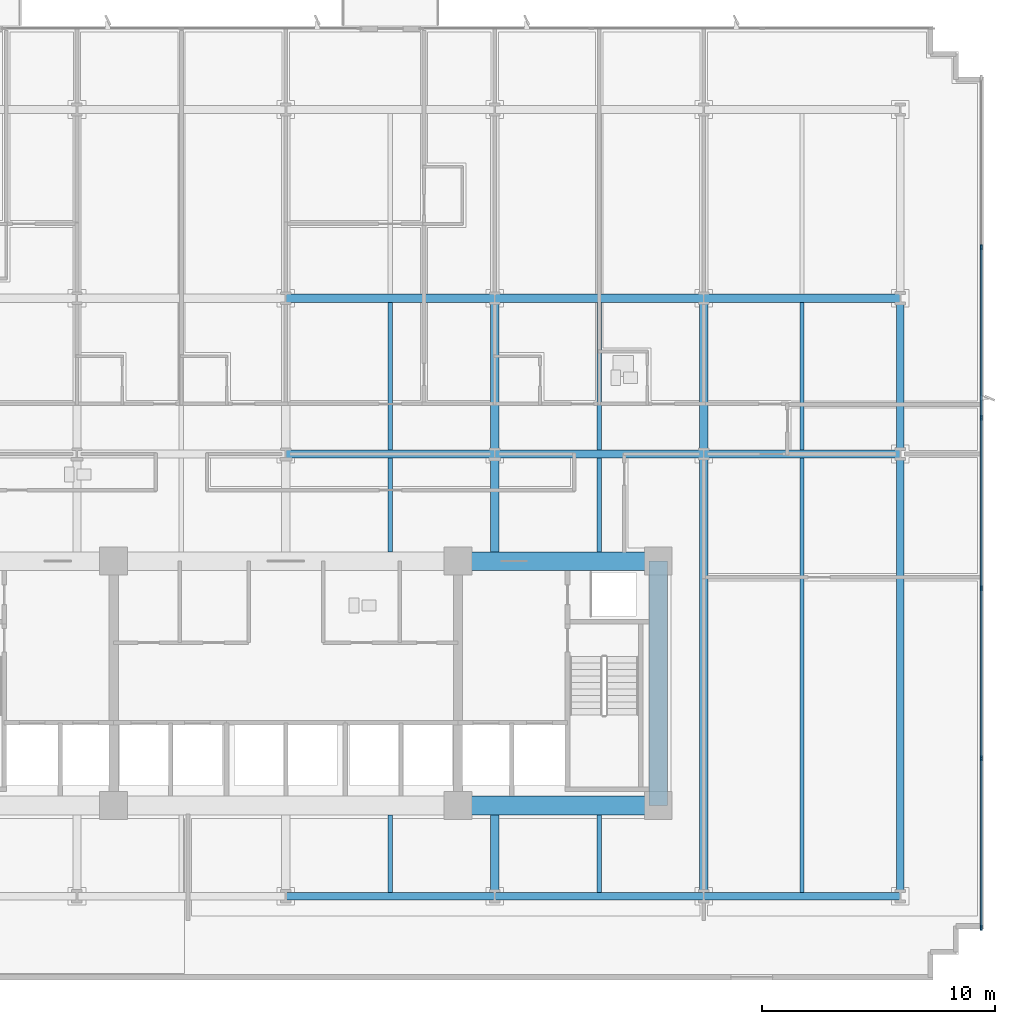
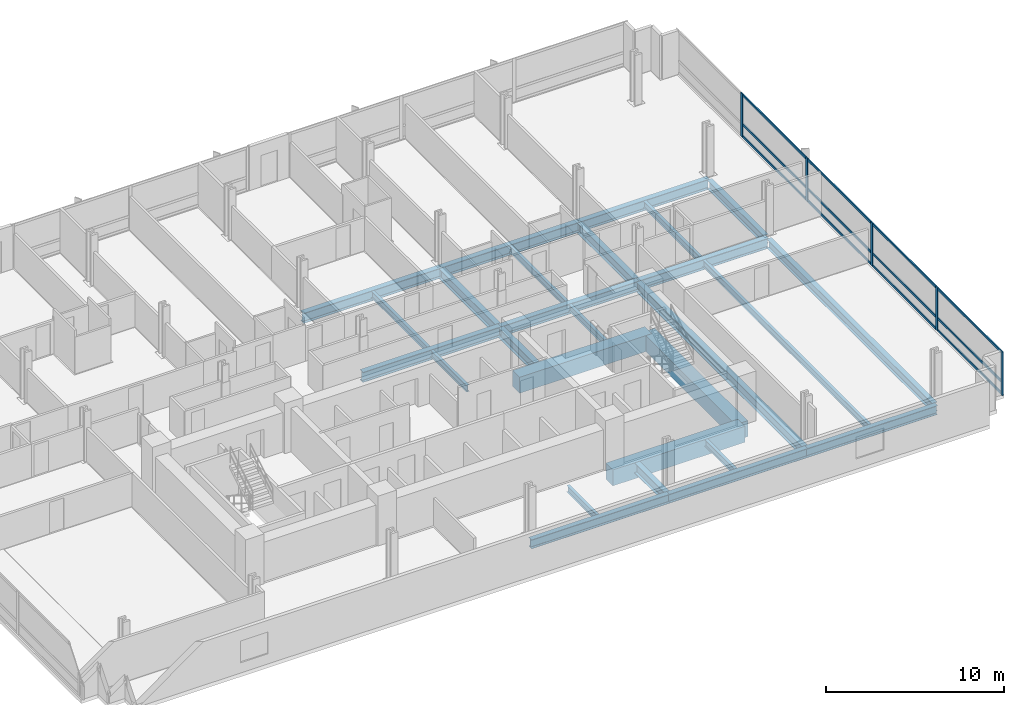
# One storey, part 4 of 15: 27 beams, 17 members, 1 element without a shape of its own.
"""IFC4 building model written with IfcOpenShell, lengths in metres."""

from ifc_helpers import new_model, si_unit, direction, frame, origin, origin_2d, place, context, subcontext, project, spatial, rectangle, i_section, extrude, material, material_profile, profile_set, type_object, element, aggregate, save


model = new_model("IFC4")

# Units and contexts
model_context = context("Model", 3, precision=1e-05, world=origin(), true_north=direction((0.0, 1.0)))
body_context = subcontext(model_context, "Body", "Model", "MODEL_VIEW")
ifc_project = project(units=[si_unit("LENGTHUNIT", "METRE"), si_unit("AREAUNIT", "SQUARE_METRE"), si_unit("VOLUMEUNIT", "CUBIC_METRE"), si_unit("PLANEANGLEUNIT", "RADIAN"), si_unit("MASSUNIT", "GRAM", prefix="KILO")], contexts=[model_context])

# Site, building, storey
site_placement = place(None, origin())
site = spatial("IfcSite", under=ifc_project, at=site_placement, CompositionType="ELEMENT")
building_placement = place(site_placement, origin())
building = spatial("IfcBuilding", under=site, at=building_placement, Name="Solmavex Isthmus Hotel", CompositionType="ELEMENT")
storey_placement = place(building_placement, frame((0.0, 0.0, 71.25)))
storey = spatial("IfcBuildingStorey", under=building, at=storey_placement, Name="L19", CompositionType="ELEMENT", Elevation=71.25)

# Beams
ifc_material_1 = material(Name="Steel ASTM A992 Grade 50", Category="steel")
ifc_material_profile_1 = material_profile(ifc_material_1, i_section(OverallWidth=0.354736328125, OverallDepth=0.695556640625, WebThickness=0.015380859375, FlangeThickness=0.02490234375, FilletRadius=0.017822265625, at=origin_2d()), Name="W27X146")
ifc_profile_set_1 = profile_set([ifc_material_profile_1], Name="Steel ASTM A992 Grade 50")
beam_type_1 = type_object("IfcBeamType", Name="BM-BG-W27X146", PredefinedType="BEAM", material=ifc_profile_set_1)
beam_1_placement = place(storey_placement, frame((0.0, 2.10009765625, -0.607666015625), z_axis=(1.0, 0.0, 0.0), x_axis=(0.0, 1.0, 0.0)))
element("IfcBeam", 1, at=beam_1_placement, inside=storey, type_object=beam_type_1, Name="Floor Girder L19-UG10", PredefinedType="BEAM", context=body_context, shape_type="SweptSolid", body=[
    extrude(i_section(OverallWidth=0.354736328125, OverallDepth=0.695556640625, WebThickness=0.015380859375, FlangeThickness=0.02490234375, FilletRadius=0.017822265625, at=origin_2d()), origin(), (0.0, 0.0, 1.0), 8.97607421875),
])
beam_2_placement = place(storey_placement, frame((8.97607421875, 2.10009765625, -0.607666015625), z_axis=(1.0, 0.0, 0.0), x_axis=(0.0, 1.0, 0.0)))
element("IfcBeam", 2, at=beam_2_placement, inside=storey, type_object=beam_type_1, Name="Floor Girder L19-UG11", PredefinedType="BEAM", context=body_context, shape_type="SweptSolid", body=[
    extrude(i_section(OverallWidth=0.354736328125, OverallDepth=0.695556640625, WebThickness=0.015380859375, FlangeThickness=0.02490234375, FilletRadius=0.017822265625, at=origin_2d()), origin(), (0.0, 0.0, 1.0), 8.975830078125),
])
beam_3_placement = place(storey_placement, frame((17.951904296875, 2.10009765625, -0.607666015625), z_axis=(1.0, 0.0, 0.0), x_axis=(0.0, 1.0, 0.0)))
element("IfcBeam", 3, at=beam_3_placement, inside=storey, type_object=beam_type_1, Name="Floor Girder L19-UG12", PredefinedType="BEAM", context=body_context, shape_type="SweptSolid", body=[
    extrude(i_section(OverallWidth=0.354736328125, OverallDepth=0.695556640625, WebThickness=0.015380859375, FlangeThickness=0.02490234375, FilletRadius=0.017822265625, at=origin_2d()), origin(), (0.0, 0.0, 1.0), 8.447998046875),
])
beam_4_placement = place(storey_placement, frame((0.0, 8.7880859375, -0.607666015625), z_axis=(1.0, 0.0, 0.0), x_axis=(0.0, 1.0, 0.0)))
element("IfcBeam", 4, at=beam_4_placement, inside=storey, type_object=beam_type_1, Name="Floor Girder L19-UG16", PredefinedType="BEAM", context=body_context, shape_type="SweptSolid", body=[
    extrude(i_section(OverallWidth=0.354736328125, OverallDepth=0.695556640625, WebThickness=0.015380859375, FlangeThickness=0.02490234375, FilletRadius=0.017822265625, at=origin_2d()), origin(), (0.0, 0.0, 1.0), 8.97607421875),
])
beam_5_placement = place(storey_placement, frame((8.97607421875, 8.7880859375, -0.607666015625), z_axis=(1.0, 0.0, 0.0), x_axis=(0.0, 1.0, 0.0)))
element("IfcBeam", 5, at=beam_5_placement, inside=storey, type_object=beam_type_1, Name="Floor Girder L19-UG17", PredefinedType="BEAM", context=body_context, shape_type="SweptSolid", body=[
    extrude(i_section(OverallWidth=0.354736328125, OverallDepth=0.695556640625, WebThickness=0.015380859375, FlangeThickness=0.02490234375, FilletRadius=0.017822265625, at=origin_2d()), origin(), (0.0, 0.0, 1.0), 8.975830078125),
])
beam_6_placement = place(storey_placement, frame((17.951904296875, 8.7880859375, -0.607666015625), z_axis=(1.0, 0.0, 0.0), x_axis=(0.0, 1.0, 0.0)))
element("IfcBeam", 6, at=beam_6_placement, inside=storey, type_object=beam_type_1, Name="Floor Girder L19-UG18", PredefinedType="BEAM", context=body_context, shape_type="SweptSolid", body=[
    extrude(i_section(OverallWidth=0.354736328125, OverallDepth=0.695556640625, WebThickness=0.015380859375, FlangeThickness=0.02490234375, FilletRadius=0.017822265625, at=origin_2d()), origin(), (0.0, 0.0, 1.0), 8.447998046875),
])
beam_7_placement = place(storey_placement, frame((8.97607421875, -16.73681640625, -0.607666015625), z_axis=(0.0, 1.0, 0.0), x_axis=(-1.0, 0.0, 0.0)))
element("IfcBeam", 7, at=beam_7_placement, inside=storey, type_object=beam_type_1, Name="Floor Beam L19-VG39", PredefinedType="BEAM", context=body_context, shape_type="SweptSolid", body=[
    extrude(i_section(OverallWidth=0.354736328125, OverallDepth=0.695556640625, WebThickness=0.015380859375, FlangeThickness=0.02490234375, FilletRadius=0.017822265625, at=origin_2d()), origin(), (0.0, 0.0, 1.0), 3.3369140625),
])
beam_8_placement = place(storey_placement, frame((8.97607421875, -2.10009765625, -0.607666015625), z_axis=(0.0, 1.0, 0.0), x_axis=(-1.0, 0.0, 0.0)))
element("IfcBeam", 8, at=beam_8_placement, inside=storey, type_object=beam_type_1, Name="Floor Beam L19-VG40", PredefinedType="BEAM", context=body_context, shape_type="SweptSolid", body=[
    extrude(i_section(OverallWidth=0.354736328125, OverallDepth=0.695556640625, WebThickness=0.015380859375, FlangeThickness=0.02490234375, FilletRadius=0.017822265625, at=origin_2d()), origin(), (0.0, 0.0, 1.0), 4.022705078125),
])
beam_9_placement = place(storey_placement, frame((8.97607421875, 2.27734375, -0.607666015625), z_axis=(0.0, 1.0, 0.0), x_axis=(-1.0, 0.0, 0.0)))
element("IfcBeam", 9, at=beam_9_placement, inside=storey, type_object=beam_type_1, Name="Floor Beam L19-VG41", PredefinedType="BEAM", context=body_context, shape_type="SweptSolid", body=[
    extrude(i_section(OverallWidth=0.354736328125, OverallDepth=0.695556640625, WebThickness=0.015380859375, FlangeThickness=0.02490234375, FilletRadius=0.017822265625, at=origin_2d()), origin(), (0.0, 0.0, 1.0), 6.333251953125),
])
beam_10_placement = place(storey_placement, frame((17.951904296875, -16.73681640625, -0.607666015625), z_axis=(0.0, 1.0, 0.0), x_axis=(-1.0, 0.0, 0.0)))
element("IfcBeam", 10, at=beam_10_placement, inside=storey, type_object=beam_type_1, Name="Floor Beam L19-VG43", PredefinedType="BEAM", context=body_context, shape_type="SweptSolid", body=[
    extrude(i_section(OverallWidth=0.354736328125, OverallDepth=0.695556640625, WebThickness=0.015380859375, FlangeThickness=0.02490234375, FilletRadius=0.017822265625, at=origin_2d()), origin(), (0.0, 0.0, 1.0), 18.659423828125),
])
beam_11_placement = place(storey_placement, frame((17.951904296875, 2.27734375, -0.607666015625), z_axis=(0.0, 1.0, 0.0), x_axis=(-1.0, 0.0, 0.0)))
element("IfcBeam", 11, at=beam_11_placement, inside=storey, type_object=beam_type_1, Name="Floor Beam L19-VG44", PredefinedType="BEAM", context=body_context, shape_type="SweptSolid", body=[
    extrude(i_section(OverallWidth=0.354736328125, OverallDepth=0.695556640625, WebThickness=0.015380859375, FlangeThickness=0.02490234375, FilletRadius=0.017822265625, at=origin_2d()), origin(), (0.0, 0.0, 1.0), 6.333251953125),
])
ifc_material_profile_2 = material_profile(ifc_material_1, i_section(OverallWidth=0.1904296875, OverallDepth=0.456787109375, WebThickness=0.009033203125, FlangeThickness=0.014404296875, FilletRadius=0.0126953125, at=origin_2d()), Name="W18X50")
ifc_profile_set_2 = profile_set([ifc_material_profile_2], Name="Steel ASTM A992 Grade 50")
beam_type_2 = type_object("IfcBeamType", Name="BM-BJ-W18X50", PredefinedType="JOIST", material=ifc_profile_set_2)
beam_12_placement = place(storey_placement, frame((4.488037109375, -16.73681640625, -0.488525390625), z_axis=(0.0, 1.0, 0.0), x_axis=(-1.0, 0.0, 0.0)))
element("IfcBeam", 12, at=beam_12_placement, inside=storey, type_object=beam_type_2, Name="Secondary Floor Joist L19-J12", PredefinedType="JOIST", context=body_context, shape_type="SweptSolid", body=[
    extrude(i_section(OverallWidth=0.1904296875, OverallDepth=0.456787109375, WebThickness=0.009033203125, FlangeThickness=0.014404296875, FilletRadius=0.0126953125, at=origin_2d()), origin(), (0.0, 0.0, 1.0), 3.3369140625),
])
beam_13_placement = place(storey_placement, frame((4.488037109375, -2.10009765625, -0.488525390625), z_axis=(0.0, 1.0, 0.0), x_axis=(-1.0, 0.0, 0.0)))
element("IfcBeam", 13, at=beam_13_placement, inside=storey, type_object=beam_type_2, Name="Secondary Floor Joist L19-J13", PredefinedType="JOIST", context=body_context, shape_type="SweptSolid", body=[
    extrude(i_section(OverallWidth=0.1904296875, OverallDepth=0.456787109375, WebThickness=0.009033203125, FlangeThickness=0.014404296875, FilletRadius=0.0126953125, at=origin_2d()), origin(), (0.0, 0.0, 1.0), 4.022705078125),
])
beam_14_placement = place(storey_placement, frame((4.488037109375, 2.27734375, -0.488525390625), z_axis=(0.0, 1.0, 0.0), x_axis=(-1.0, 0.0, 0.0)))
element("IfcBeam", 14, at=beam_14_placement, inside=storey, type_object=beam_type_2, Name="Secondary Floor Joist L19-J14", PredefinedType="JOIST", context=body_context, shape_type="SweptSolid", body=[
    extrude(i_section(OverallWidth=0.1904296875, OverallDepth=0.456787109375, WebThickness=0.009033203125, FlangeThickness=0.014404296875, FilletRadius=0.0126953125, at=origin_2d()), origin(), (0.0, 0.0, 1.0), 6.333251953125),
])
beam_15_placement = place(storey_placement, frame((13.464111328125, -16.73681640625, -0.488525390625), z_axis=(0.0, 1.0, 0.0), x_axis=(-1.0, 0.0, 0.0)))
element("IfcBeam", 15, at=beam_15_placement, inside=storey, type_object=beam_type_2, Name="Secondary Floor Joist L19-J16", PredefinedType="JOIST", context=body_context, shape_type="SweptSolid", body=[
    extrude(i_section(OverallWidth=0.1904296875, OverallDepth=0.456787109375, WebThickness=0.009033203125, FlangeThickness=0.014404296875, FilletRadius=0.0126953125, at=origin_2d()), origin(), (0.0, 0.0, 1.0), 3.3369140625),
])
beam_16_placement = place(storey_placement, frame((13.464111328125, -2.10009765625, -0.488525390625), z_axis=(0.0, 1.0, 0.0), x_axis=(-1.0, 0.0, 0.0)))
element("IfcBeam", 16, at=beam_16_placement, inside=storey, type_object=beam_type_2, Name="Secondary Floor Joist L19-J17", PredefinedType="JOIST", context=body_context, shape_type="SweptSolid", body=[
    extrude(i_section(OverallWidth=0.1904296875, OverallDepth=0.456787109375, WebThickness=0.009033203125, FlangeThickness=0.014404296875, FilletRadius=0.0126953125, at=origin_2d()), origin(), (0.0, 0.0, 1.0), 4.022705078125),
])
beam_17_placement = place(storey_placement, frame((13.464111328125, 2.27734375, -0.488525390625), z_axis=(0.0, 1.0, 0.0), x_axis=(-1.0, 0.0, 0.0)))
element("IfcBeam", 17, at=beam_17_placement, inside=storey, type_object=beam_type_2, Name="Secondary Floor Joist L19-J18", PredefinedType="JOIST", context=body_context, shape_type="SweptSolid", body=[
    extrude(i_section(OverallWidth=0.1904296875, OverallDepth=0.456787109375, WebThickness=0.009033203125, FlangeThickness=0.014404296875, FilletRadius=0.0126953125, at=origin_2d()), origin(), (0.0, 0.0, 1.0), 6.333251953125),
])
beam_18_placement = place(storey_placement, frame((22.176025390625, -16.73681640625, -0.488525390625), z_axis=(0.0, 1.0, 0.0), x_axis=(-1.0, 0.0, 0.0)))
element("IfcBeam", 18, at=beam_18_placement, inside=storey, type_object=beam_type_2, Name="Secondary Floor Joist L19-J20", PredefinedType="JOIST", context=body_context, shape_type="SweptSolid", body=[
    extrude(i_section(OverallWidth=0.1904296875, OverallDepth=0.456787109375, WebThickness=0.009033203125, FlangeThickness=0.014404296875, FilletRadius=0.0126953125, at=origin_2d()), origin(), (0.0, 0.0, 1.0), 18.659423828125),
])
beam_19_placement = place(storey_placement, frame((22.176025390625, 2.27734375, -0.488525390625), z_axis=(0.0, 1.0, 0.0), x_axis=(-1.0, 0.0, 0.0)))
element("IfcBeam", 19, at=beam_19_placement, inside=storey, type_object=beam_type_2, Name="Secondary Floor Joist L19-J21", PredefinedType="JOIST", context=body_context, shape_type="SweptSolid", body=[
    extrude(i_section(OverallWidth=0.1904296875, OverallDepth=0.456787109375, WebThickness=0.009033203125, FlangeThickness=0.014404296875, FilletRadius=0.0126953125, at=origin_2d()), origin(), (0.0, 0.0, 1.0), 6.333251953125),
])
ifc_material_2 = material(Name="Concrete C70/85", Category="concrete")
ifc_material_profile_3 = material_profile(ifc_material_2, rectangle(XDim=0.800048828125, YDim=1.10009765625, at=origin_2d()), Name="RC800X1100")
ifc_profile_set_3 = profile_set([ifc_material_profile_3], Name="Concrete C70/85")
beam_type_3 = type_object("IfcBeamType", Name="BM-CB-800X1100", PredefinedType="BEAM", material=ifc_profile_set_3)
for number, where, z_axis, x_axis, name in (
    (20, (7.39990234375, -13.0, -0.81005859375), (1.0, 0.0, 0.0), (0.0, 1.0, 0.0), "Core Coupling Beam L19-CB3"),
    (21, (7.39990234375, -2.5, -0.81005859375), (1.0, 0.0, 0.0), (0.0, 1.0, 0.0), "Core Coupling Beam L19-CB6"),
):
    element("IfcBeam", number, at=place(storey_placement, frame(where, z_axis=z_axis, x_axis=x_axis)), inside=storey, type_object=beam_type_3, Name=name, PredefinedType="BEAM", context=body_context, shape_type="SweptSolid", body=[
        extrude(rectangle(XDim=0.800048828125, YDim=1.10009765625, at=origin_2d()), origin(), (0.0, 0.0, 1.0), 8.60009765625),
    ])
beam_20_placement = place(storey_placement, frame((16.0, -13.0, -0.81005859375), z_axis=(0.0, 1.0, 0.0), x_axis=(-1.0, 0.0, 0.0)))
element("IfcBeam", 22, at=beam_20_placement, inside=storey, type_object=beam_type_3, Name="Core Coupling Beam L19-CB8", PredefinedType="BEAM", context=body_context, shape_type="SweptSolid", body=[
    extrude(rectangle(XDim=0.800048828125, YDim=1.10009765625, at=origin_2d()), origin(), (0.0, 0.0, 1.0), 10.5),
])
ifc_material_profile_4 = material_profile(ifc_material_1, i_section(OverallWidth=0.326416015625, OverallDepth=0.621826171875, WebThickness=0.015380859375, FlangeThickness=0.0244140625, FilletRadius=0.01513671875, at=origin_2d()), Name="W24X131")
ifc_profile_set_4 = profile_set([ifc_material_profile_4], Name="Steel ASTM A992 Grade 50")
beam_type_4 = type_object("IfcBeamType", Name="BM-SP-W24X131", PredefinedType="SPANDREL", material=ifc_profile_set_4)
beam_21_placement = place(storey_placement, frame((0.0, -16.89990234375, -0.57080078125), z_axis=(1.0, 0.0, 0.0), x_axis=(0.0, 1.0, 0.0)))
element("IfcBeam", 23, at=beam_21_placement, inside=storey, type_object=beam_type_4, Name="Floor Girder L19-UG04", PredefinedType="SPANDREL", context=body_context, shape_type="SweptSolid", body=[
    extrude(i_section(OverallWidth=0.326416015625, OverallDepth=0.621826171875, WebThickness=0.015380859375, FlangeThickness=0.0244140625, FilletRadius=0.01513671875, at=origin_2d()), origin(), (0.0, 0.0, 1.0), 8.97607421875),
])
beam_22_placement = place(storey_placement, frame((8.97607421875, -16.89990234375, -0.57080078125), z_axis=(1.0, 0.0, 0.0), x_axis=(0.0, 1.0, 0.0)))
element("IfcBeam", 24, at=beam_22_placement, inside=storey, type_object=beam_type_4, Name="Floor Girder L19-UG05", PredefinedType="SPANDREL", context=body_context, shape_type="SweptSolid", body=[
    extrude(i_section(OverallWidth=0.326416015625, OverallDepth=0.621826171875, WebThickness=0.015380859375, FlangeThickness=0.0244140625, FilletRadius=0.01513671875, at=origin_2d()), origin(), (0.0, 0.0, 1.0), 8.975830078125),
])
beam_23_placement = place(storey_placement, frame((17.951904296875, -16.89990234375, -0.57080078125), z_axis=(1.0, 0.0, 0.0), x_axis=(0.0, 1.0, 0.0)))
element("IfcBeam", 25, at=beam_23_placement, inside=storey, type_object=beam_type_4, Name="Floor Girder L19-UG06", PredefinedType="SPANDREL", context=body_context, shape_type="SweptSolid", body=[
    extrude(i_section(OverallWidth=0.326416015625, OverallDepth=0.621826171875, WebThickness=0.015380859375, FlangeThickness=0.0244140625, FilletRadius=0.01513671875, at=origin_2d()), origin(), (0.0, 0.0, 1.0), 8.447998046875),
])
beam_24_placement = place(storey_placement, frame((26.39990234375, -16.73681640625, -0.57080078125), z_axis=(0.0, 1.0, 0.0), x_axis=(-1.0, 0.0, 0.0)))
element("IfcBeam", 26, at=beam_24_placement, inside=storey, type_object=beam_type_4, Name="Floor Beam L19-VG46", PredefinedType="SPANDREL", context=body_context, shape_type="SweptSolid", body=[
    extrude(i_section(OverallWidth=0.326416015625, OverallDepth=0.621826171875, WebThickness=0.015380859375, FlangeThickness=0.0244140625, FilletRadius=0.01513671875, at=origin_2d()), origin(), (0.0, 0.0, 1.0), 18.659423828125),
])
beam_25_placement = place(storey_placement, frame((26.39990234375, 2.27734375, -0.57080078125), z_axis=(0.0, 1.0, 0.0), x_axis=(-1.0, 0.0, 0.0)))
element("IfcBeam", 27, at=beam_25_placement, inside=storey, type_object=beam_type_4, Name="Floor Beam L19-VG47", PredefinedType="SPANDREL", context=body_context, shape_type="SweptSolid", body=[
    extrude(i_section(OverallWidth=0.326416015625, OverallDepth=0.621826171875, WebThickness=0.015380859375, FlangeThickness=0.0244140625, FilletRadius=0.01513671875, at=origin_2d()), origin(), (0.0, 0.0, 1.0), 6.333251953125),
])

# Curtain wall, members
ifc_material_3 = material(Name="Aluminium alloy 6063-T6", Category="aluminium")
curtain_wall_type = type_object("IfcCurtainWallType", Name="CW-SYS-02", PredefinedType="NOTDEFINED", material=ifc_material_3)
curtain_wall_placement = place(storey_placement, origin())
curtain_wall = element("IfcCurtainWall", 28, at=curtain_wall_placement, inside=storey, type_object=curtain_wall_type, Name="Stick Curtain Wall CWL-L19-E1", PredefinedType="NOTDEFINED")
ifc_material_profile_5 = material_profile(ifc_material_3, rectangle(XDim=0.074951171875, YDim=0.219970703125, at=origin_2d()), Name="CWM-75X220")
ifc_profile_set_5 = profile_set([ifc_material_profile_5], Name="Aluminium alloy 6063-T6")
member_type_1 = type_object("IfcMemberType", Name="CW-SYS-02-MUL", PredefinedType="MULLION", material=ifc_profile_set_5)
member_1_placement = place(storey_placement, frame((29.8798828125, -18.262451171875, 0.0), z_axis=(0.0, 0.0, 1.0), x_axis=(-1.0, 0.0, 0.0)))
member_1 = element("IfcMember", 29, at=member_1_placement, type_object=member_type_1, Name="CW-02 mullion 1", PredefinedType="MULLION", context=body_context, shape_type="SweptSolid", body=[
    extrude(rectangle(XDim=0.074951171875, YDim=0.219970703125, at=origin_2d()), origin(), (0.0, 0.0, 1.0), 3.0),
])
member_2_placement = place(storey_placement, frame((29.8798828125, -10.97998046875, 0.0), z_axis=(0.0, 0.0, 1.0), x_axis=(-1.0, 0.0, 0.0)))
member_2 = element("IfcMember", 30, at=member_2_placement, type_object=member_type_1, Name="CW-02 mullion 2", PredefinedType="MULLION", context=body_context, shape_type="SweptSolid", body=[
    extrude(rectangle(XDim=0.074951171875, YDim=0.219970703125, at=origin_2d()), origin(), (0.0, 0.0, 1.0), 3.0),
])
member_3_placement = place(storey_placement, frame((29.8798828125, -3.659912109375, 0.0), z_axis=(0.0, 0.0, 1.0), x_axis=(-1.0, 0.0, 0.0)))
member_3 = element("IfcMember", 31, at=member_3_placement, type_object=member_type_1, Name="CW-02 mullion 3", PredefinedType="MULLION", context=body_context, shape_type="SweptSolid", body=[
    extrude(rectangle(XDim=0.074951171875, YDim=0.219970703125, at=origin_2d()), origin(), (0.0, 0.0, 1.0), 3.0),
])
member_4_placement = place(storey_placement, frame((29.8798828125, 3.659912109375, 0.0), z_axis=(0.0, 0.0, 1.0), x_axis=(-1.0, 0.0, 0.0)))
member_4 = element("IfcMember", 32, at=member_4_placement, type_object=member_type_1, Name="CW-02 mullion 4", PredefinedType="MULLION", context=body_context, shape_type="SweptSolid", body=[
    extrude(rectangle(XDim=0.074951171875, YDim=0.219970703125, at=origin_2d()), origin(), (0.0, 0.0, 1.0), 3.0),
])
member_5_placement = place(storey_placement, frame((29.8798828125, 10.97998046875, 0.0), z_axis=(0.0, 0.0, 1.0), x_axis=(-1.0, 0.0, 0.0)))
member_5 = element("IfcMember", 33, at=member_5_placement, type_object=member_type_1, Name="CW-02 mullion 5", PredefinedType="MULLION", context=body_context, shape_type="SweptSolid", body=[
    extrude(rectangle(XDim=0.074951171875, YDim=0.219970703125, at=origin_2d()), origin(), (0.0, 0.0, 1.0), 3.0),
])
ifc_material_profile_6 = material_profile(ifc_material_3, rectangle(XDim=0.074951171875, YDim=0.159912109375, at=origin_2d()), Name="CWT-75X160")
ifc_profile_set_6 = profile_set([ifc_material_profile_6], Name="Aluminium alloy 6063-T6")
member_type_2 = type_object("IfcMemberType", Name="CW-SYS-02-TRN", PredefinedType="USERDEFINED", material=ifc_profile_set_6)
member_6_placement = place(storey_placement, frame((29.8798828125, -18.22509765625, 0.080078125), z_axis=(0.0, 1.0, 0.0), x_axis=(-1.0, 0.0, 0.0)))
member_6 = element("IfcMember", 34, at=member_6_placement, type_object=member_type_2, Name="CW-02 transom 1.1", ObjectType="TRANSOM", PredefinedType="USERDEFINED", context=body_context, shape_type="SweptSolid", body=[
    extrude(rectangle(XDim=0.074951171875, YDim=0.159912109375, at=origin_2d()), origin(), (0.0, 0.0, 1.0), 7.20751953125),
])
member_7_placement = place(storey_placement, frame((29.8798828125, -18.22509765625, 0.89990234375), z_axis=(0.0, 1.0, 0.0), x_axis=(-1.0, 0.0, 0.0)))
member_7 = element("IfcMember", 35, at=member_7_placement, type_object=member_type_2, Name="CW-02 transom 1.2", ObjectType="TRANSOM", PredefinedType="USERDEFINED", context=body_context, shape_type="SweptSolid", body=[
    extrude(rectangle(XDim=0.074951171875, YDim=0.159912109375, at=origin_2d()), origin(), (0.0, 0.0, 1.0), 7.20751953125),
])
member_8_placement = place(storey_placement, frame((29.8798828125, -18.22509765625, 2.919921875), z_axis=(0.0, 1.0, 0.0), x_axis=(-1.0, 0.0, 0.0)))
member_8 = element("IfcMember", 36, at=member_8_placement, type_object=member_type_2, Name="CW-02 transom 1.3", ObjectType="TRANSOM", PredefinedType="USERDEFINED", context=body_context, shape_type="SweptSolid", body=[
    extrude(rectangle(XDim=0.074951171875, YDim=0.159912109375, at=origin_2d()), origin(), (0.0, 0.0, 1.0), 7.20751953125),
])
member_9_placement = place(storey_placement, frame((29.8798828125, -10.9423828125, 0.080078125), z_axis=(0.0, 1.0, 0.0), x_axis=(-1.0, 0.0, 0.0)))
member_9 = element("IfcMember", 37, at=member_9_placement, type_object=member_type_2, Name="CW-02 transom 2.1", ObjectType="TRANSOM", PredefinedType="USERDEFINED", context=body_context, shape_type="SweptSolid", body=[
    extrude(rectangle(XDim=0.074951171875, YDim=0.159912109375, at=origin_2d()), origin(), (0.0, 0.0, 1.0), 7.244873046875),
])
member_10_placement = place(storey_placement, frame((29.8798828125, -10.9423828125, 0.89990234375), z_axis=(0.0, 1.0, 0.0), x_axis=(-1.0, 0.0, 0.0)))
member_10 = element("IfcMember", 38, at=member_10_placement, type_object=member_type_2, Name="CW-02 transom 2.2", ObjectType="TRANSOM", PredefinedType="USERDEFINED", context=body_context, shape_type="SweptSolid", body=[
    extrude(rectangle(XDim=0.074951171875, YDim=0.159912109375, at=origin_2d()), origin(), (0.0, 0.0, 1.0), 7.244873046875),
])
member_11_placement = place(storey_placement, frame((29.8798828125, -10.9423828125, 2.919921875), z_axis=(0.0, 1.0, 0.0), x_axis=(-1.0, 0.0, 0.0)))
member_11 = element("IfcMember", 39, at=member_11_placement, type_object=member_type_2, Name="CW-02 transom 2.3", ObjectType="TRANSOM", PredefinedType="USERDEFINED", context=body_context, shape_type="SweptSolid", body=[
    extrude(rectangle(XDim=0.074951171875, YDim=0.159912109375, at=origin_2d()), origin(), (0.0, 0.0, 1.0), 7.244873046875),
])
member_12_placement = place(storey_placement, frame((29.8798828125, -3.62255859375, 0.080078125), z_axis=(0.0, 1.0, 0.0), x_axis=(-1.0, 0.0, 0.0)))
member_12 = element("IfcMember", 40, at=member_12_placement, type_object=member_type_2, Name="CW-02 transom 3.1", ObjectType="TRANSOM", PredefinedType="USERDEFINED", context=body_context, shape_type="SweptSolid", body=[
    extrude(rectangle(XDim=0.074951171875, YDim=0.159912109375, at=origin_2d()), origin(), (0.0, 0.0, 1.0), 7.2451171875),
])
member_13_placement = place(storey_placement, frame((29.8798828125, -3.62255859375, 0.89990234375), z_axis=(0.0, 1.0, 0.0), x_axis=(-1.0, 0.0, 0.0)))
member_13 = element("IfcMember", 41, at=member_13_placement, type_object=member_type_2, Name="CW-02 transom 3.2", ObjectType="TRANSOM", PredefinedType="USERDEFINED", context=body_context, shape_type="SweptSolid", body=[
    extrude(rectangle(XDim=0.074951171875, YDim=0.159912109375, at=origin_2d()), origin(), (0.0, 0.0, 1.0), 7.2451171875),
])
member_14_placement = place(storey_placement, frame((29.8798828125, -3.62255859375, 2.919921875), z_axis=(0.0, 1.0, 0.0), x_axis=(-1.0, 0.0, 0.0)))
member_14 = element("IfcMember", 42, at=member_14_placement, type_object=member_type_2, Name="CW-02 transom 3.3", ObjectType="TRANSOM", PredefinedType="USERDEFINED", context=body_context, shape_type="SweptSolid", body=[
    extrude(rectangle(XDim=0.074951171875, YDim=0.159912109375, at=origin_2d()), origin(), (0.0, 0.0, 1.0), 7.2451171875),
])
member_15_placement = place(storey_placement, frame((29.8798828125, 3.697509765625, 0.080078125), z_axis=(0.0, 1.0, 0.0), x_axis=(-1.0, 0.0, 0.0)))
member_15 = element("IfcMember", 43, at=member_15_placement, type_object=member_type_2, Name="CW-02 transom 4.1", ObjectType="TRANSOM", PredefinedType="USERDEFINED", context=body_context, shape_type="SweptSolid", body=[
    extrude(rectangle(XDim=0.074951171875, YDim=0.159912109375, at=origin_2d()), origin(), (0.0, 0.0, 1.0), 7.244873046875),
])
member_16_placement = place(storey_placement, frame((29.8798828125, 3.697509765625, 0.89990234375), z_axis=(0.0, 1.0, 0.0), x_axis=(-1.0, 0.0, 0.0)))
member_16 = element("IfcMember", 44, at=member_16_placement, type_object=member_type_2, Name="CW-02 transom 4.2", ObjectType="TRANSOM", PredefinedType="USERDEFINED", context=body_context, shape_type="SweptSolid", body=[
    extrude(rectangle(XDim=0.074951171875, YDim=0.159912109375, at=origin_2d()), origin(), (0.0, 0.0, 1.0), 7.244873046875),
])
member_17_placement = place(storey_placement, frame((29.8798828125, 3.697509765625, 2.919921875), z_axis=(0.0, 1.0, 0.0), x_axis=(-1.0, 0.0, 0.0)))
member_17 = element("IfcMember", 45, at=member_17_placement, type_object=member_type_2, Name="CW-02 transom 4.3", ObjectType="TRANSOM", PredefinedType="USERDEFINED", context=body_context, shape_type="SweptSolid", body=[
    extrude(rectangle(XDim=0.074951171875, YDim=0.159912109375, at=origin_2d()), origin(), (0.0, 0.0, 1.0), 7.244873046875),
])
aggregate(curtain_wall, [member_1, member_2, member_3, member_4, member_5, member_6, member_7, member_8, member_9, member_10, member_11, member_12, member_13, member_14, member_15, member_16, member_17])

save(model, "model.ifc")
